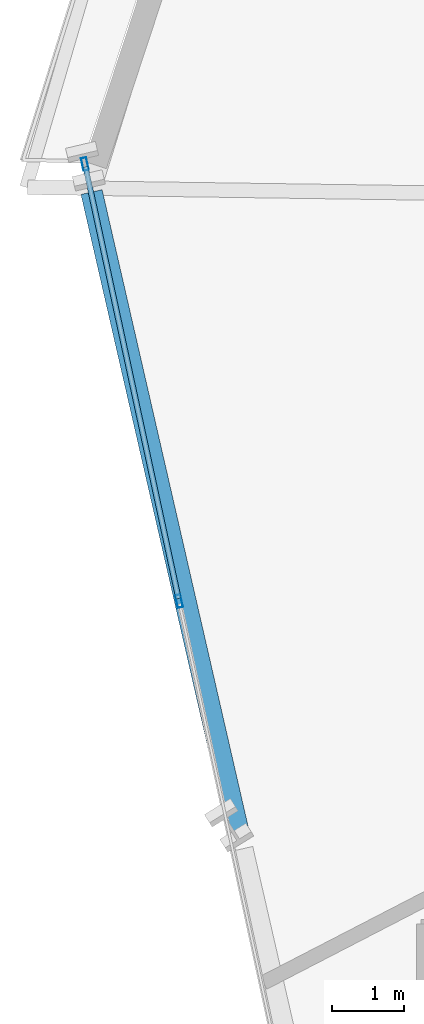
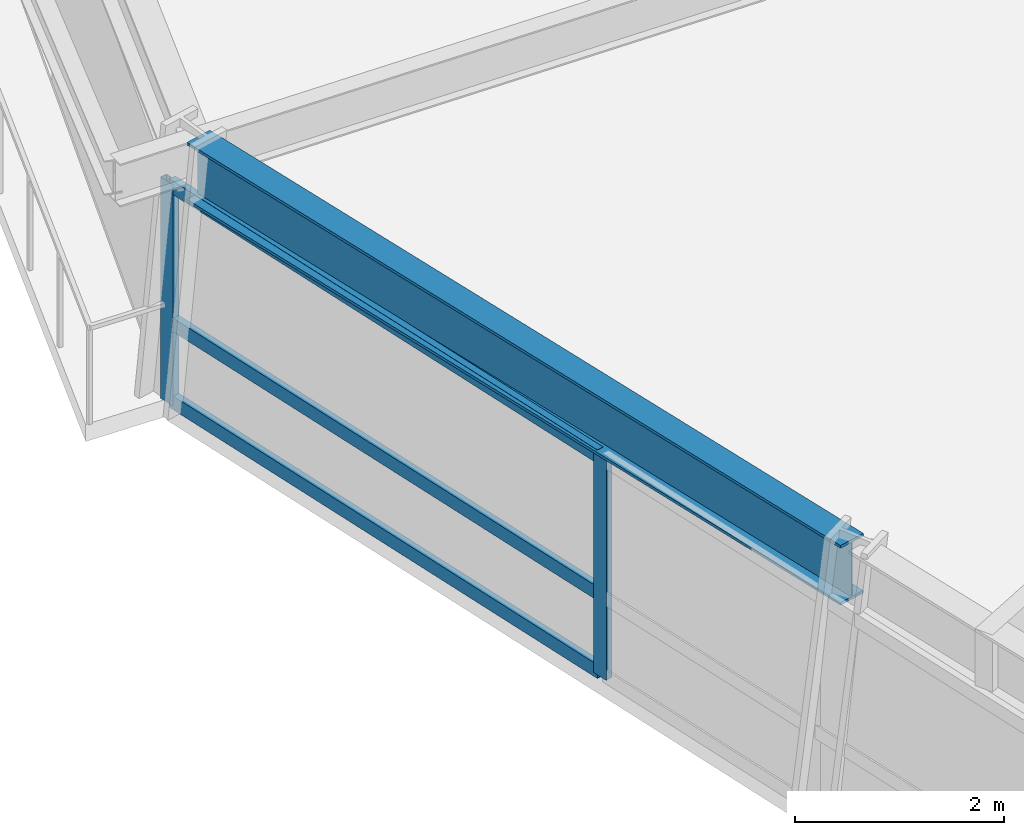
# One storey, part 6 of 24: 5 members, 1 beam, 1 element without a shape of its own.
"""IFC4 building model written with IfcOpenShell, lengths in metres."""

from ifc_helpers import new_model, si_unit, direction, frame, origin, origin_2d, place, context, subcontext, project, spatial, hollow_rectangle, i_section, extrude, source, transform, mapped, material, material_profile, profile_set, type_object, element, aggregate, save


model = new_model("IFC4")

# Units and contexts
model_context = context("Model", 3, precision=1e-05, world=origin(), true_north=direction((0.0, 1.0)))
body_context = subcontext(model_context, "Body", "Model", "MODEL_VIEW")
ifc_project = project(units=[si_unit("LENGTHUNIT", "METRE"), si_unit("AREAUNIT", "SQUARE_METRE"), si_unit("VOLUMEUNIT", "CUBIC_METRE"), si_unit("PLANEANGLEUNIT", "RADIAN"), si_unit("MASSUNIT", "GRAM", prefix="KILO")], contexts=[model_context])

# Site, building, storey
site_placement = place(None, origin())
site = spatial("IfcSite", under=ifc_project, at=site_placement, CompositionType="ELEMENT")
building_placement = place(site_placement, origin())
building = spatial("IfcBuilding", under=site, at=building_placement, Name="Olszyna Solenne Hotel", CompositionType="ELEMENT")
storey_placement = place(building_placement, frame((0.0, 0.0, 29.300048828125)))
storey = spatial("IfcBuildingStorey", under=building, at=storey_placement, Name="L06", CompositionType="ELEMENT", Elevation=29.300048828125)

# Beam
ifc_material_1 = material(Name="Steel S355J2", Category="steel")
ifc_material_profile_1 = material_profile(ifc_material_1, i_section(OverallWidth=0.300048828125, OverallDepth=0.699951171875, WebThickness=0.01708984375, FlangeThickness=0.031982421875, at=origin_2d()), Name="HEB 700", Category="load-bearing")
ifc_profile_set_1 = profile_set([ifc_material_profile_1], Name="Steel S355J2")
beam_type = type_object("IfcBeamType", Name="BM-S1", PredefinedType="BEAM", material=ifc_profile_set_1)
shared_shape_1 = source(origin(), body_context, "Body", "SweptSolid", [
    extrude(i_section(OverallWidth=0.300048828125, OverallDepth=0.699951171875, WebThickness=0.01708984375, FlangeThickness=0.031982421875, at=origin_2d()), origin(), (0.0, 0.0, 1.0), 9.208740234375),
])
beam_placement = place(storey_placement, frame((14.970458984375, 26.875244140625, 2.949951171875), z_axis=(0.223519415024, -0.97469947733, 0.0), x_axis=(0.97469947733, 0.223519415024, 0.0)))
element("IfcBeam", 1, at=beam_placement, inside=storey, type_object=beam_type, Name="Perimeter spandrel beam BM-S1 B-L06-0207", PredefinedType="BEAM", context=body_context, shape_type="MappedRepresentation", body=[
    mapped(shared_shape_1, transform((0.0, 0.0, 0.0), x_axis=(1.0, 0.0, 0.0), y_axis=(0.0, 1.0, 0.0), z_axis=(0.0, 0.0, 1.0), scale=1.0)),
])

# Curtain wall, members
ifc_material_2 = material(Name="Anodised bronze aluminium", Category="aluminium")
curtain_wall_type = type_object("IfcCurtainWallType", Name="CW-SYS-2", PredefinedType="NOTDEFINED", material=ifc_material_2)
curtain_wall_placement = place(storey_placement, origin())
curtain_wall = element("IfcCurtainWall", 2, at=curtain_wall_placement, inside=storey, type_object=curtain_wall_type, Name="Unitised curtain wall CW-SYS-2 CW-L06-01", PredefinedType="NOTDEFINED")
ifc_material_profile_2 = material_profile(ifc_material_2, hollow_rectangle(XDim=0.074951171875, YDim=0.179931640625, WallThickness=0.00439453125, at=origin_2d()), Name="MULL 180x75x4.5", Category="load-bearing")
ifc_profile_set_2 = profile_set([ifc_material_profile_2], Name="Anodised bronze aluminium")
member_type_1 = type_object("IfcMemberType", Name="CW-M2", PredefinedType="MULLION", material=ifc_profile_set_2)
shared_shape_2 = source(origin(), body_context, "Body", "SweptSolid", [
    extrude(hollow_rectangle(XDim=0.074951171875, YDim=0.179931640625, WallThickness=0.00439453125, at=origin_2d()), origin(), (0.0, 0.0, 1.0), 2.592041015625),
])
member_1_placement = place(storey_placement, frame((14.878662109375, 27.262939453125, 0.0), z_axis=(0.0, 0.0, 1.0), x_axis=(0.977570252716, 0.21060959381, 0.0)))
member_1 = element("IfcMember", 3, at=member_1_placement, type_object=member_type_1, Name="Curtain-wall mullion CW-M2 CM-L06-01-01", PredefinedType="MULLION", context=body_context, shape_type="MappedRepresentation", body=[
    mapped(shared_shape_2, transform((0.0, 0.0, 0.0), x_axis=(1.0, 0.0, 0.0), y_axis=(0.0, 1.0, 0.0), z_axis=(0.0, 0.0, 1.0), scale=1.0)),
])
member_2_placement = place(storey_placement, frame((16.182373046875, 21.212158203125, 0.0), z_axis=(0.0, 0.0, 1.0), x_axis=(0.977570252716, 0.21060959381, 0.0)))
member_2 = element("IfcMember", 4, at=member_2_placement, type_object=member_type_1, Name="Curtain-wall mullion CW-M2 CM-L06-01-02", PredefinedType="MULLION", context=body_context, shape_type="MappedRepresentation", body=[
    mapped(shared_shape_2, transform((0.0, 0.0, 0.0), x_axis=(1.0, 0.0, 0.0), y_axis=(0.0, 1.0, 0.0), z_axis=(0.0, 0.0, 1.0), scale=1.0)),
])
ifc_material_profile_3 = material_profile(ifc_material_2, hollow_rectangle(XDim=0.074951171875, YDim=0.159912109375, WallThickness=0.00390625, at=origin_2d()), Name="TRAN 160x75x4", Category="load-bearing")
ifc_profile_set_3 = profile_set([ifc_material_profile_3], Name="Anodised bronze aluminium")
member_type_2 = type_object("IfcMemberType", Name="CW-T1", PredefinedType="USERDEFINED", material=ifc_profile_set_3)
shared_shape_3 = source(origin(), body_context, "Body", "SweptSolid", [
    extrude(hollow_rectangle(XDim=0.074951171875, YDim=0.159912109375, WallThickness=0.00390625, at=origin_2d()), origin(), (0.0, 0.0, 1.0), 6.114501953125),
])
member_3_placement = place(storey_placement, frame((14.886474609375, 27.22607421875, 0.037353515625), z_axis=(0.21062241209, -0.977567491033, 0.0), x_axis=(0.977567491033, 0.21062241209, 0.0)))
member_3 = element("IfcMember", 5, at=member_3_placement, type_object=member_type_2, Name="Curtain-wall transom CW-T1 CT-L06-01-01", ObjectType="TRANSOM", PredefinedType="USERDEFINED", context=body_context, shape_type="MappedRepresentation", body=[
    mapped(shared_shape_3, transform((0.0, 0.0, 0.0), x_axis=(1.0, 0.0, 0.0), y_axis=(0.0, 1.0, 0.0), z_axis=(0.0, 0.0, 1.0), scale=1.0)),
])
member_4_placement = place(storey_placement, frame((14.886474609375, 27.22607421875, 0.949951171875), z_axis=(0.21062241209, -0.977567491033, 0.0), x_axis=(0.977567491033, 0.21062241209, 0.0)))
member_4 = element("IfcMember", 6, at=member_4_placement, type_object=member_type_2, Name="Curtain-wall transom CW-T1 CT-L06-01-02", ObjectType="TRANSOM", PredefinedType="USERDEFINED", context=body_context, shape_type="MappedRepresentation", body=[
    mapped(shared_shape_3, transform((0.0, 0.0, 0.0), x_axis=(1.0, 0.0, 0.0), y_axis=(0.0, 1.0, 0.0), z_axis=(0.0, 0.0, 1.0), scale=1.0)),
])
member_5_placement = place(storey_placement, frame((14.886474609375, 27.22607421875, 2.554443359375), z_axis=(0.21062241209, -0.977567491033, 0.0), x_axis=(0.977567491033, 0.21062241209, 0.0)))
member_5 = element("IfcMember", 7, at=member_5_placement, type_object=member_type_2, Name="Curtain-wall transom CW-T1 CT-L06-01-03", ObjectType="TRANSOM", PredefinedType="USERDEFINED", context=body_context, shape_type="MappedRepresentation", body=[
    mapped(shared_shape_3, transform((0.0, 0.0, 0.0), x_axis=(1.0, 0.0, 0.0), y_axis=(0.0, 1.0, 0.0), z_axis=(0.0, 0.0, 1.0), scale=1.0)),
])
aggregate(curtain_wall, [member_1, member_2, member_3, member_4, member_5])

save(model, "model.ifc")
